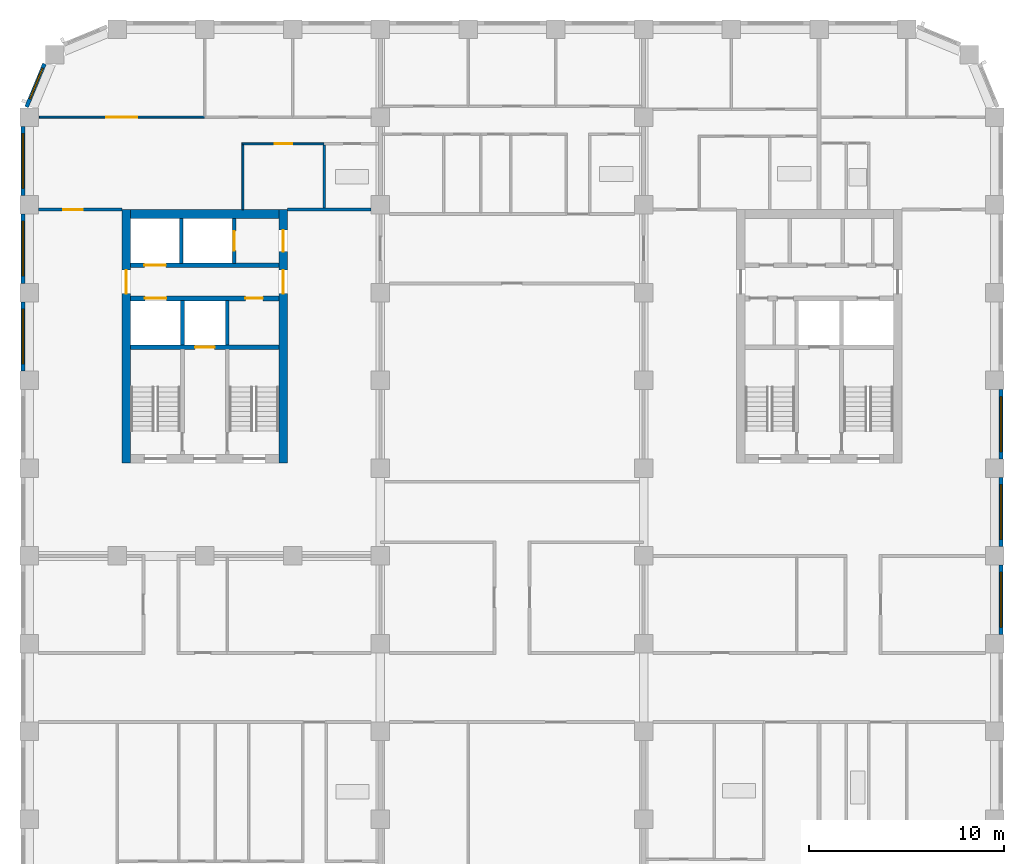
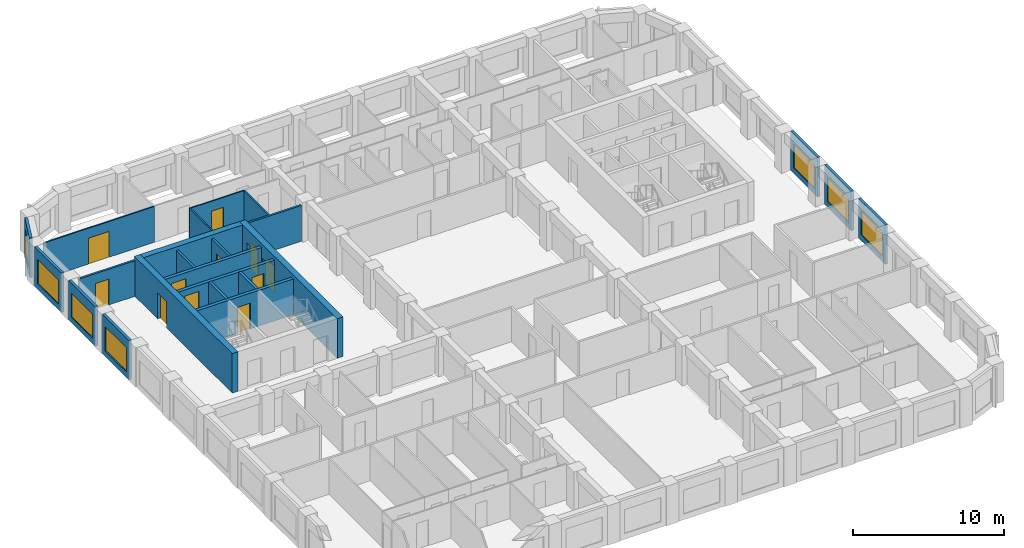
# One storey, part 6 of 13: 23 walls, 11 doors, 7 windows, 18 openings.
"""IFC4 building model written with IfcOpenShell, lengths in metres."""

from ifc_helpers import new_model, si_unit, direction, frame, frame_2d, origin, place, context, subcontext, project, spatial, rectangle, extrude, material, layer, layer_set, type_object, element, fill, save


model = new_model("IFC4")

# Units and contexts
model_context = context("Model", 3, precision=1e-05, world=origin(), true_north=direction((0.0, 1.0)))
body_context = subcontext(model_context, "Body", "Model", "MODEL_VIEW")
ifc_project = project(units=[si_unit("LENGTHUNIT", "METRE"), si_unit("AREAUNIT", "SQUARE_METRE"), si_unit("VOLUMEUNIT", "CUBIC_METRE"), si_unit("PLANEANGLEUNIT", "RADIAN"), si_unit("MASSUNIT", "GRAM", prefix="KILO")], contexts=[model_context])

# Site, building, storey
site_placement = place(None, origin())
site = spatial("IfcSite", under=ifc_project, at=site_placement, CompositionType="ELEMENT")
building_placement = place(site_placement, origin())
building = spatial("IfcBuilding", under=site, at=building_placement, Name="Girih Gate Residences", CompositionType="ELEMENT")
storey_placement = place(building_placement, frame((0.0, 0.0, 136.60009765625)))
storey = spatial("IfcBuildingStorey", under=building, at=storey_placement, Name="L38", CompositionType="ELEMENT", Elevation=136.60009765625)

# Wall, opening, door
ifc_material_1 = material(Name="Gypsum board on steel studs", Category="steel")
ifc_layer_1 = layer(ifc_material_1, 0.14990234375)
ifc_layer_set_1 = layer_set([ifc_layer_1], Name="Compartment wall 150 mm")
wall_type_1 = type_object("IfcWallType", Name="Compartment wall 150 mm", PredefinedType="PARTITIONING", material=ifc_layer_set_1)
wall_1_placement = place(storey_placement, frame((0.47509765625, 40.25, 0.0), z_axis=(0.0, 0.0, 1.0), x_axis=(1.0, 0.0, 0.0)))
wall_1 = element("IfcWall", 1, at=wall_1_placement, inside=storey, type_object=wall_type_1, Name="L38 partition", PredefinedType="PARTITIONING", context=body_context, shape_type="SweptSolid", body=[
    extrude(rectangle(XDim=4.27490234375, YDim=0.14990234375, at=frame_2d((2.137451171875, 0.0))), origin(), (0.0, 0.0, 1.0), 2.89990234375),
])
opening_1_placement = place(wall_1_placement, frame((1.27490234375, 0.0, 0.0)))
opening_1 = element("IfcOpeningElement", 2, at=opening_1_placement, cuts=wall_1, Name="Opening A38-016", PredefinedType="OPENING", context=body_context, shape_type="SweptSolid", body=[
    extrude(rectangle(XDim=1.0, YDim=2.10009765625, at=frame_2d((0.5, 1.050048828125))), frame((0.0, 0.0849609375, 0.0), z_axis=(0.0, -1.0, 0.0), x_axis=(1.0, 0.0, 0.0)), (0.0, 0.0, 1.0), 0.169921875),
])
ifc_material_2 = material(Name="Timber, fire-rated core", Category="wood")
door_type_1 = type_object("IfcDoorType", Name="Flat entrance door 1000x2100 FD30S", OperationType="NOTDEFINED", PredefinedType="DOOR", material=ifc_material_2)
door_1_placement = place(opening_1_placement, origin())
door_1 = element("IfcDoor", 3, at=door_1_placement, inside=storey, type_object=door_type_1, Name="Door A38-016", OperationType="SINGLE_SWING_LEFT", OverallHeight=2.10009765625, OverallWidth=1.0, PredefinedType="DOOR", context=body_context, shape_type="SweptSolid", body=[
    extrude(rectangle(XDim=1.0, YDim=2.10009765625, at=frame_2d((0.5, 1.050048828125))), frame((0.0, 0.02490234375, 0.0), z_axis=(0.0, -1.0, 0.0), x_axis=(1.0, 0.0, 0.0)), (0.0, 0.0, 1.0), 0.050048828125),
])
fill(opening_1, door_1)

# Walls
wall_2_placement = place(storey_placement, frame((13.25, 40.25, 0.0), z_axis=(0.0, 0.0, 1.0), x_axis=(1.0, 0.0, 0.0)))
element("IfcWall", 4, at=wall_2_placement, inside=storey, type_object=wall_type_1, Name="L38 partition", PredefinedType="PARTITIONING", context=body_context, shape_type="SweptSolid", body=[
    extrude(rectangle(XDim=4.27490234375, YDim=0.14990234375, at=frame_2d((2.137451171875, 0.0))), origin(), (0.0, 0.0, 1.0), 2.89990234375),
])
ifc_material_3 = material(Name="Concrete C60/75", Category="concrete")
ifc_layer_2 = layer(ifc_material_3, 0.449951171875)
ifc_layer_set_2 = layer_set([ifc_layer_2], Name="Core wall RC 450 Concrete C60/75")
wall_type_2 = type_object("IfcWallType", Name="Core wall RC 450 Concrete C60/75", PredefinedType="SOLIDWALL", material=ifc_layer_set_2)
wall_3_placement = place(storey_placement, frame((5.199951171875, 40.02490234375, 0.0), z_axis=(0.0, 0.0, 1.0), x_axis=(1.0, 0.0, 0.0)))
element("IfcWall", 5, at=wall_3_placement, inside=storey, type_object=wall_type_2, Name="Core wall W-N L38", PredefinedType="SOLIDWALL", context=body_context, shape_type="SweptSolid", body=[
    extrude(rectangle(XDim=7.60009765625, YDim=0.449951171875, at=frame_2d((3.800048828125, 0.0))), origin(), (0.0, 0.0, 1.0), 3.199951171875),
])

# Wall, opening, door
wall_4_placement = place(storey_placement, frame((4.97509765625, 27.25, 0.0), z_axis=(0.0, 0.0, 1.0), x_axis=(0.0, 1.0, 0.0)))
wall_4 = element("IfcWall", 6, at=wall_4_placement, inside=storey, type_object=wall_type_2, Name="Core wall W-W L38", PredefinedType="SOLIDWALL", context=body_context, shape_type="SweptSolid", body=[
    extrude(rectangle(XDim=13.0, YDim=0.449951171875, at=frame_2d((6.5, 0.0))), origin(), (0.0, 0.0, 1.0), 3.199951171875),
])
opening_2_placement = place(wall_4_placement, frame((8.699951171875, 0.0, 0.0)))
opening_2 = element("IfcOpeningElement", 7, at=opening_2_placement, cuts=wall_4, Name="Opening D-L38-W-012", PredefinedType="OPENING", context=body_context, shape_type="SweptSolid", body=[
    extrude(rectangle(XDim=1.199951171875, YDim=2.10009765625, at=frame_2d((0.60009765625, 1.050048828125))), frame((0.0, 0.23486328125, 0.0), z_axis=(0.0, -1.0, 0.0), x_axis=(1.0, 0.0, 0.0)), (0.0, 0.0, 1.0), 0.469970703125),
])
ifc_material_4 = material(Name="Painted steel, fire-resisting", Category="steel")
door_type_2 = type_object("IfcDoorType", Name="Fire door 1200x2100", OperationType="SINGLE_SWING_LEFT", PredefinedType="DOOR", material=ifc_material_4)
door_2_placement = place(opening_2_placement, origin())
door_2 = element("IfcDoor", 8, at=door_2_placement, inside=storey, type_object=door_type_2, Name="L38 W core door ll-w", OperationType="SINGLE_SWING_LEFT", OverallHeight=2.10009765625, OverallWidth=1.199951171875, PredefinedType="DOOR", context=body_context, shape_type="SweptSolid", body=[
    extrude(rectangle(XDim=1.199951171875, YDim=2.10009765625, at=frame_2d((0.60009765625, 1.050048828125))), frame((0.0, 0.02490234375, 0.0), z_axis=(0.0, -1.0, 0.0), x_axis=(1.0, 0.0, 0.0)), (0.0, 0.0, 1.0), 0.050048828125),
])
fill(opening_2, door_2)

# Wall, openings, doors
wall_5_placement = place(storey_placement, frame((13.02490234375, 27.25, 0.0), z_axis=(0.0, 0.0, 1.0), x_axis=(0.0, 1.0, 0.0)))
wall_5 = element("IfcWall", 9, at=wall_5_placement, inside=storey, type_object=wall_type_2, Name="Core wall W-E L38", PredefinedType="SOLIDWALL", context=body_context, shape_type="SweptSolid", body=[
    extrude(rectangle(XDim=13.0, YDim=0.449951171875, at=frame_2d((6.5, 0.0))), origin(), (0.0, 0.0, 1.0), 3.199951171875),
])
opening_3_placement = place(wall_5_placement, frame((10.85009765625, 0.0, 0.0)))
opening_3 = element("IfcOpeningElement", 10, at=opening_3_placement, cuts=wall_5, Name="Opening D-L38-W-011", PredefinedType="OPENING", context=body_context, shape_type="SweptSolid", body=[
    extrude(rectangle(XDim=1.10009765625, YDim=2.10009765625, at=frame_2d((0.550048828125, 1.050048828125))), frame((0.0, 0.23486328125, 0.0), z_axis=(0.0, -1.0, 0.0), x_axis=(1.0, 0.0, 0.0)), (0.0, 0.0, 1.0), 0.469970703125),
])
opening_4_placement = place(wall_5_placement, frame((8.699951171875, 0.0, 0.0)))
opening_4 = element("IfcOpeningElement", 11, at=opening_4_placement, cuts=wall_5, Name="Opening D-L38-W-013", PredefinedType="OPENING", context=body_context, shape_type="SweptSolid", body=[
    extrude(rectangle(XDim=1.199951171875, YDim=2.10009765625, at=frame_2d((0.60009765625, 1.050048828125))), frame((0.0, 0.23486328125, 0.0), z_axis=(0.0, -1.0, 0.0), x_axis=(1.0, 0.0, 0.0)), (0.0, 0.0, 1.0), 0.469970703125),
])
door_type_3 = type_object("IfcDoorType", Name="Fire door 1100x2100", OperationType="SINGLE_SWING_LEFT", PredefinedType="DOOR", material=ifc_material_4)
door_3_placement = place(opening_3_placement, origin())
door_3 = element("IfcDoor", 12, at=door_3_placement, inside=storey, type_object=door_type_3, Name="L38 W core door ffl2-e", OperationType="SINGLE_SWING_LEFT", OverallHeight=2.10009765625, OverallWidth=1.10009765625, PredefinedType="DOOR", context=body_context, shape_type="SweptSolid", body=[
    extrude(rectangle(XDim=1.10009765625, YDim=2.10009765625, at=frame_2d((0.550048828125, 1.050048828125))), frame((0.0, 0.02490234375, 0.0), z_axis=(0.0, -1.0, 0.0), x_axis=(1.0, 0.0, 0.0)), (0.0, 0.0, 1.0), 0.050048828125),
])
fill(opening_3, door_3)
door_4_placement = place(opening_4_placement, origin())
door_4 = element("IfcDoor", 13, at=door_4_placement, inside=storey, type_object=door_type_2, Name="L38 W core door ll-e", OperationType="SINGLE_SWING_LEFT", OverallHeight=2.10009765625, OverallWidth=1.199951171875, PredefinedType="DOOR", context=body_context, shape_type="SweptSolid", body=[
    extrude(rectangle(XDim=1.199951171875, YDim=2.10009765625, at=frame_2d((0.60009765625, 1.050048828125))), frame((0.0, 0.02490234375, 0.0), z_axis=(0.0, -1.0, 0.0), x_axis=(1.0, 0.0, 0.0)), (0.0, 0.0, 1.0), 0.050048828125),
])
fill(opening_4, door_4)

# Wall, opening, door
ifc_material_5 = material(Name="Concrete C40/50", Category="concrete")
ifc_layer_3 = layer(ifc_material_5, 0.25)
ifc_layer_set_3 = layer_set([ifc_layer_3], Name="Lift shaft wall 250")
wall_type_3 = type_object("IfcWallType", Name="Lift shaft wall 250", PredefinedType="SOLIDWALL", material=ifc_layer_set_3)
wall_6_placement = place(storey_placement, frame((5.199951171875, 33.199951171875, 0.0), z_axis=(0.0, 0.0, 1.0), x_axis=(1.0, 0.0, 0.0)))
wall_6 = element("IfcWall", 14, at=wall_6_placement, inside=storey, type_object=wall_type_3, Name="L38 W core wall H1", PredefinedType="SOLIDWALL", context=body_context, shape_type="SweptSolid", body=[
    extrude(rectangle(XDim=7.60009765625, YDim=0.25, at=frame_2d((3.800048828125, 0.0))), origin(), (0.0, 0.0, 1.0), 2.89990234375),
])
opening_5_placement = place(wall_6_placement, frame((3.300048828125, 0.0, 0.0)))
opening_5 = element("IfcOpeningElement", 15, at=opening_5_placement, cuts=wall_6, Name="Opening D-L38-W-006", PredefinedType="OPENING", context=body_context, shape_type="SweptSolid", body=[
    extrude(rectangle(XDim=1.0, YDim=2.10009765625, at=frame_2d((0.5, 1.050048828125))), frame((0.0, 0.135009765625, 0.0), z_axis=(0.0, -1.0, 0.0), x_axis=(1.0, 0.0, 0.0)), (0.0, 0.0, 1.0), 0.27001953125),
])
ifc_material_6 = material(Name="Stainless steel, fire-resisting", Category="steel")
door_type_4 = type_object("IfcDoorType", Name="Firefighting lift landing door 1000x2100", OperationType="SLIDING_TO_LEFT", PredefinedType="DOOR", material=ifc_material_6)
door_5_placement = place(opening_5_placement, origin())
door_5 = element("IfcDoor", 16, at=door_5_placement, inside=storey, type_object=door_type_4, Name="L38 lift FF-W landing door", OperationType="SLIDING_TO_LEFT", OverallHeight=2.10009765625, OverallWidth=1.0, PredefinedType="DOOR", context=body_context, shape_type="SweptSolid", body=[
    extrude(rectangle(XDim=1.0, YDim=2.10009765625, at=frame_2d((0.5, 1.050048828125))), frame((0.0, 0.02490234375, 0.0), z_axis=(0.0, -1.0, 0.0), x_axis=(1.0, 0.0, 0.0)), (0.0, 0.0, 1.0), 0.050048828125),
])
fill(opening_5, door_5)

# Wall, openings, doors
wall_7_placement = place(storey_placement, frame((5.199951171875, 35.699951171875, 0.0), z_axis=(0.0, 0.0, 1.0), x_axis=(1.0, 0.0, 0.0)))
wall_7 = element("IfcWall", 17, at=wall_7_placement, inside=storey, type_object=wall_type_3, Name="L38 W core wall H2", PredefinedType="SOLIDWALL", context=body_context, shape_type="SweptSolid", body=[
    extrude(rectangle(XDim=7.60009765625, YDim=0.25, at=frame_2d((3.800048828125, 0.0))), origin(), (0.0, 0.0, 1.0), 2.89990234375),
])
opening_6_placement = place(wall_7_placement, frame((0.72509765625, 0.0, 0.0)))
opening_6 = element("IfcOpeningElement", 18, at=opening_6_placement, cuts=wall_7, Name="Opening D-L38-W-005", PredefinedType="OPENING", context=body_context, shape_type="SweptSolid", body=[
    extrude(rectangle(XDim=1.10009765625, YDim=2.39990234375, at=frame_2d((0.550048828125, 1.199951171875))), frame((0.0, 0.135009765625, 0.0), z_axis=(0.0, -1.0, 0.0), x_axis=(1.0, 0.0, 0.0)), (0.0, 0.0, 1.0), 0.27001953125),
])
opening_7_placement = place(wall_7_placement, frame((5.875, 0.0, 0.0)))
opening_7 = element("IfcOpeningElement", 19, at=opening_7_placement, cuts=wall_7, Name="Opening D-L38-W-007", PredefinedType="OPENING", context=body_context, shape_type="SweptSolid", body=[
    extrude(rectangle(XDim=0.89990234375, YDim=2.10009765625, at=frame_2d((0.449951171875, 1.050048828125))), frame((0.0, 0.135009765625, 0.0), z_axis=(0.0, -1.0, 0.0), x_axis=(1.0, 0.0, 0.0)), (0.0, 0.0, 1.0), 0.27001953125),
])
door_type_5 = type_object("IfcDoorType", Name="Fire door 900x2100", OperationType="SINGLE_SWING_LEFT", PredefinedType="DOOR", material=ifc_material_4)
door_6_placement = place(opening_7_placement, origin())
door_6 = element("IfcDoor", 20, at=door_6_placement, inside=storey, type_object=door_type_5, Name="L38 W linen store door", OperationType="SINGLE_SWING_LEFT", OverallHeight=2.10009765625, OverallWidth=0.89990234375, PredefinedType="DOOR", context=body_context, shape_type="SweptSolid", body=[
    extrude(rectangle(XDim=0.89990234375, YDim=2.10009765625, at=frame_2d((0.449951171875, 1.050048828125))), frame((0.0, 0.02490234375, 0.0), z_axis=(0.0, -1.0, 0.0), x_axis=(1.0, 0.0, 0.0)), (0.0, 0.0, 1.0), 0.050048828125),
])
fill(opening_7, door_6)
ifc_material_7 = material(Name="Stainless steel", Category="steel")
door_type_6 = type_object("IfcDoorType", Name="Lift landing door 1100x2400", OperationType="SLIDING_TO_LEFT", PredefinedType="DOOR", material=ifc_material_7)
door_7_placement = place(opening_6_placement, origin())
door_7 = element("IfcDoor", 21, at=door_7_placement, inside=storey, type_object=door_type_6, Name="L38 lift HR-W1 landing door", OperationType="SLIDING_TO_LEFT", OverallHeight=2.39990234375, OverallWidth=1.10009765625, PredefinedType="DOOR", context=body_context, shape_type="SweptSolid", body=[
    extrude(rectangle(XDim=1.10009765625, YDim=2.39990234375, at=frame_2d((0.550048828125, 1.199951171875))), frame((0.0, 0.02490234375, 0.0), z_axis=(0.0, -1.0, 0.0), x_axis=(1.0, 0.0, 0.0)), (0.0, 0.0, 1.0), 0.050048828125),
])
fill(opening_6, door_7)

# Wall, opening, door
wall_8_placement = place(storey_placement, frame((5.199951171875, 37.39990234375, 0.0), z_axis=(0.0, 0.0, 1.0), x_axis=(1.0, 0.0, 0.0)))
wall_8 = element("IfcWall", 22, at=wall_8_placement, inside=storey, type_object=wall_type_3, Name="L38 W core wall H3", PredefinedType="SOLIDWALL", context=body_context, shape_type="SweptSolid", body=[
    extrude(rectangle(XDim=7.60009765625, YDim=0.25, at=frame_2d((3.800048828125, 0.0))), origin(), (0.0, 0.0, 1.0), 2.89990234375),
])
opening_8_placement = place(wall_8_placement, frame((0.699951171875, 0.0, 0.0)))
opening_8 = element("IfcOpeningElement", 23, at=opening_8_placement, cuts=wall_8, Name="Opening D-L38-W-003", PredefinedType="OPENING", context=body_context, shape_type="SweptSolid", body=[
    extrude(rectangle(XDim=1.10009765625, YDim=2.39990234375, at=frame_2d((0.550048828125, 1.199951171875))), frame((0.0, 0.135009765625, 0.0), z_axis=(0.0, -1.0, 0.0), x_axis=(1.0, 0.0, 0.0)), (0.0, 0.0, 1.0), 0.27001953125),
])
door_8_placement = place(opening_8_placement, origin())
door_8 = element("IfcDoor", 24, at=door_8_placement, inside=storey, type_object=door_type_6, Name="L38 lift LR-W1 landing door", OperationType="SLIDING_TO_LEFT", OverallHeight=2.39990234375, OverallWidth=1.10009765625, PredefinedType="DOOR", context=body_context, shape_type="SweptSolid", body=[
    extrude(rectangle(XDim=1.10009765625, YDim=2.39990234375, at=frame_2d((0.550048828125, 1.199951171875))), frame((0.0, 0.02490234375, 0.0), z_axis=(0.0, -1.0, 0.0), x_axis=(1.0, 0.0, 0.0)), (0.0, 0.0, 1.0), 0.050048828125),
])
fill(opening_8, door_8)

ifc_layer_4 = layer(ifc_material_1, 0.10009765625)
ifc_layer_set_4 = layer_set([ifc_layer_4], Name="Partition 100 mm")
wall_type_4 = type_object("IfcWallType", Name="Partition 100 mm", PredefinedType="PARTITIONING", material=ifc_layer_set_4)
wall_9_placement = place(storey_placement, frame((15.119384765625, 43.6201171875, 0.0), z_axis=(0.0, 0.0, 1.0), x_axis=(-1.0, 0.0, 0.0)))
wall_9 = element("IfcWall", 25, at=wall_9_placement, inside=storey, type_object=wall_type_4, Name="L38 partition", PredefinedType="PARTITIONING", context=body_context, shape_type="SweptSolid", body=[
    extrude(rectangle(XDim=4.219482421875, YDim=0.10009765625, at=frame_2d((2.10986328125, 0.0))), origin(), (0.0, 0.0, 1.0), 2.89990234375),
])
opening_9_placement = place(wall_9_placement, frame((1.634765625, 0.0, 0.0)))
opening_9 = element("IfcOpeningElement", 26, at=opening_9_placement, cuts=wall_9, Name="Opening A38-014", PredefinedType="OPENING", context=body_context, shape_type="SweptSolid", body=[
    extrude(rectangle(XDim=0.89990234375, YDim=2.10009765625, at=frame_2d((0.449951171875, 1.050048828125))), frame((0.0, 0.06005859375, 0.0), z_axis=(0.0, -1.0, 0.0), x_axis=(1.0, 0.0, 0.0)), (0.0, 0.0, 1.0), 0.1201171875),
])
ifc_material_8 = material(Name="Timber", Category="wood")
door_type_7 = type_object("IfcDoorType", Name="Kitchen door 900x2100", OperationType="NOTDEFINED", PredefinedType="DOOR", material=ifc_material_8)
door_9_placement = place(opening_9_placement, origin())
door_9 = element("IfcDoor", 27, at=door_9_placement, inside=storey, type_object=door_type_7, Name="Door A38-014", OperationType="SINGLE_SWING_LEFT", OverallHeight=2.10009765625, OverallWidth=0.89990234375, PredefinedType="DOOR", context=body_context, shape_type="SweptSolid", body=[
    extrude(rectangle(XDim=0.89990234375, YDim=2.10009765625, at=frame_2d((0.449951171875, 1.050048828125))), frame((0.0, 0.02490234375, 0.0), z_axis=(0.0, -1.0, 0.0), x_axis=(1.0, 0.0, 0.0)), (0.0, 0.0, 1.0), 0.050048828125),
])
fill(opening_9, door_9)

# Wall
wall_10_placement = place(storey_placement, frame((10.949951171875, 40.25, 0.0), z_axis=(0.0, 0.0, 1.0), x_axis=(0.0, 1.0, 0.0)))
element("IfcWall", 28, at=wall_10_placement, inside=storey, type_object=wall_type_4, Name="L38 partition", PredefinedType="PARTITIONING", context=body_context, shape_type="SweptSolid", body=[
    extrude(rectangle(XDim=3.320068359375, YDim=0.10009765625, at=frame_2d((1.66015625, 0.0))), origin(), (0.0, 0.0, 1.0), 2.89990234375),
])

# Wall, opening, door
wall_11_placement = place(storey_placement, frame((0.51416015625, 45.0, 0.0), z_axis=(0.0, 0.0, 1.0), x_axis=(1.0, 0.0, 0.0)))
wall_11 = element("IfcWall", 29, at=wall_11_placement, inside=storey, type_object=wall_type_4, Name="L38 partition", PredefinedType="PARTITIONING", context=body_context, shape_type="SweptSolid", body=[
    extrude(rectangle(XDim=8.48583984375, YDim=0.10009765625, at=frame_2d((4.242919921875, 0.0))), origin(), (0.0, 0.0, 1.0), 2.89990234375),
])
opening_10_placement = place(wall_11_placement, frame((3.42333984375, 0.0, 0.0)))
opening_10 = element("IfcOpeningElement", 30, at=opening_10_placement, cuts=wall_11, Name="Opening A38-015", PredefinedType="OPENING", context=body_context, shape_type="SweptSolid", body=[
    extrude(rectangle(XDim=1.60009765625, YDim=2.10009765625, at=frame_2d((0.800048828125, 1.050048828125))), frame((0.0, 0.06005859375, 0.0), z_axis=(0.0, -1.0, 0.0), x_axis=(1.0, 0.0, 0.0)), (0.0, 0.0, 1.0), 0.1201171875),
])
door_type_8 = type_object("IfcDoorType", Name="Double leaf door 1600x2100", OperationType="NOTDEFINED", PredefinedType="DOOR", material=ifc_material_8)
door_10_placement = place(opening_10_placement, origin())
door_10 = element("IfcDoor", 31, at=door_10_placement, inside=storey, type_object=door_type_8, Name="Door A38-015", OperationType="SINGLE_SWING_LEFT", OverallHeight=2.10009765625, OverallWidth=1.60009765625, PredefinedType="DOOR", context=body_context, shape_type="SweptSolid", body=[
    extrude(rectangle(XDim=1.60009765625, YDim=2.10009765625, at=frame_2d((0.800048828125, 1.050048828125))), frame((0.0, 0.02490234375, 0.0), z_axis=(0.0, -1.0, 0.0), x_axis=(1.0, 0.0, 0.0)), (0.0, 0.0, 1.0), 0.050048828125),
])
fill(opening_10, door_10)

# Wall, opening, window
ifc_material_9 = material(Name="Precast concrete C50/60", Category="concrete")
ifc_layer_5 = layer(ifc_material_9, 0.06005859375, Name="Outer leaf")
ifc_material_10 = material(Name="Rigid PIR insulation")
ifc_layer_6 = layer(ifc_material_10, 0.090087890625, Name="Insulation")
ifc_material_11 = material(Name="Precast concrete C40/50", Category="concrete")
ifc_layer_7 = layer(ifc_material_11, 0.050048828125, Name="Inner leaf")
ifc_layer_set_5 = layer_set([ifc_layer_5, ifc_layer_6, ifc_layer_7], Name="Precast concrete C50/60 external wall 200")
wall_type_5 = type_object("IfcWallType", Name="Precast concrete C50/60 external wall 200", PredefinedType="SOLIDWALL", material=ifc_layer_set_5)
wall_12_placement = place(storey_placement, frame((49.824951171875, 22.02490234375, 0.0), z_axis=(0.0, 0.0, 1.0), x_axis=(0.0, -1.0, 0.0)))
wall_12 = element("IfcWall", 32, at=wall_12_placement, inside=storey, type_object=wall_type_5, Name="External wall E0495_0045.3", PredefinedType="SOLIDWALL", context=body_context, shape_type="SweptSolid", body=[
    extrude(rectangle(XDim=3.5498046875, YDim=0.199951171875, at=frame_2d((1.77490234375, 0.0))), origin(), (0.0, 0.0, 1.0), 3.199951171875),
])
opening_11_placement = place(wall_12_placement, frame((0.375, 0.0, 0.449951171875)))
opening_11 = element("IfcOpeningElement", 33, at=opening_11_placement, cuts=wall_12, Name="Opening W-1B", PredefinedType="OPENING", context=body_context, shape_type="SweptSolid", body=[
    extrude(rectangle(XDim=2.800048828125, YDim=1.949951171875, at=frame_2d((1.39990234375, 0.97509765625))), frame((0.0, 0.10986328125, 0.0), z_axis=(0.0, -1.0, 0.0), x_axis=(1.0, 0.0, 0.0)), (0.0, 0.0, 1.0), 0.219970703125),
])
ifc_material_12 = material(Name="Double glazing in aluminium frame", Category="aluminium")
window_type_1 = type_object("IfcWindowType", Name="Window W-1B 2800x1950", PartitioningType="SINGLE_PANEL", PredefinedType="WINDOW", material=ifc_material_12)
window_1_placement = place(opening_11_placement, origin())
window_1 = element("IfcWindow", 34, at=window_1_placement, inside=storey, type_object=window_type_1, Name="Window W-1B E0495_0045.3", OverallHeight=1.949951171875, OverallWidth=2.800048828125, PartitioningType="SINGLE_PANEL", PredefinedType="WINDOW", context=body_context, shape_type="SweptSolid", body=[
    extrude(rectangle(XDim=2.800048828125, YDim=1.949951171875, at=frame_2d((1.39990234375, 0.97509765625))), frame((0.0, 0.030029296875, 0.0), z_axis=(0.0, -1.0, 0.0), x_axis=(1.0, 0.0, 0.0)), (0.0, 0.0, 1.0), 0.06005859375),
])
fill(opening_11, window_1)

wall_13_placement = place(storey_placement, frame((49.824951171875, 26.52490234375, 0.0), z_axis=(0.0, 0.0, 1.0), x_axis=(0.0, -1.0, 0.0)))
wall_13 = element("IfcWall", 35, at=wall_13_placement, inside=storey, type_object=wall_type_5, Name="External wall E0495_0045.4", PredefinedType="SOLIDWALL", context=body_context, shape_type="SweptSolid", body=[
    extrude(rectangle(XDim=3.5498046875, YDim=0.199951171875, at=frame_2d((1.77490234375, 0.0))), origin(), (0.0, 0.0, 1.0), 3.199951171875),
])
opening_12_placement = place(wall_13_placement, frame((0.375, 0.0, 0.449951171875)))
opening_12 = element("IfcOpeningElement", 36, at=opening_12_placement, cuts=wall_13, Name="Opening W-1B", PredefinedType="OPENING", context=body_context, shape_type="SweptSolid", body=[
    extrude(rectangle(XDim=2.800048828125, YDim=1.949951171875, at=frame_2d((1.39990234375, 0.97509765625))), frame((0.0, 0.10986328125, 0.0), z_axis=(0.0, -1.0, 0.0), x_axis=(1.0, 0.0, 0.0)), (0.0, 0.0, 1.0), 0.219970703125),
])
window_2_placement = place(opening_12_placement, origin())
window_2 = element("IfcWindow", 37, at=window_2_placement, inside=storey, type_object=window_type_1, Name="Window W-1B E0495_0045.4", OverallHeight=1.949951171875, OverallWidth=2.800048828125, PartitioningType="SINGLE_PANEL", PredefinedType="WINDOW", context=body_context, shape_type="SweptSolid", body=[
    extrude(rectangle(XDim=2.800048828125, YDim=1.949951171875, at=frame_2d((1.39990234375, 0.97509765625))), frame((0.0, 0.030029296875, 0.0), z_axis=(0.0, -1.0, 0.0), x_axis=(1.0, 0.0, 0.0)), (0.0, 0.0, 1.0), 0.06005859375),
])
fill(opening_12, window_2)

wall_14_placement = place(storey_placement, frame((49.824951171875, 31.02490234375, 0.0), z_axis=(0.0, 0.0, 1.0), x_axis=(0.0, -1.0, 0.0)))
wall_14 = element("IfcWall", 38, at=wall_14_placement, inside=storey, type_object=wall_type_5, Name="External wall E0495_0045.5", PredefinedType="SOLIDWALL", context=body_context, shape_type="SweptSolid", body=[
    extrude(rectangle(XDim=3.5498046875, YDim=0.199951171875, at=frame_2d((1.77490234375, 0.0))), origin(), (0.0, 0.0, 1.0), 3.199951171875),
])
opening_13_placement = place(wall_14_placement, frame((0.375, 0.0, 0.449951171875)))
opening_13 = element("IfcOpeningElement", 39, at=opening_13_placement, cuts=wall_14, Name="Opening W-1B", PredefinedType="OPENING", context=body_context, shape_type="SweptSolid", body=[
    extrude(rectangle(XDim=2.800048828125, YDim=1.949951171875, at=frame_2d((1.39990234375, 0.97509765625))), frame((0.0, 0.10986328125, 0.0), z_axis=(0.0, -1.0, 0.0), x_axis=(1.0, 0.0, 0.0)), (0.0, 0.0, 1.0), 0.219970703125),
])
window_3_placement = place(opening_13_placement, origin())
window_3 = element("IfcWindow", 40, at=window_3_placement, inside=storey, type_object=window_type_1, Name="Window W-1B E0495_0045.5", OverallHeight=1.949951171875, OverallWidth=2.800048828125, PartitioningType="SINGLE_PANEL", PredefinedType="WINDOW", context=body_context, shape_type="SweptSolid", body=[
    extrude(rectangle(XDim=2.800048828125, YDim=1.949951171875, at=frame_2d((1.39990234375, 0.97509765625))), frame((0.0, 0.030029296875, 0.0), z_axis=(0.0, -1.0, 0.0), x_axis=(1.0, 0.0, 0.0)), (0.0, 0.0, 1.0), 0.06005859375),
])
fill(opening_13, window_3)

wall_15_placement = place(storey_placement, frame((-0.13916015625, 45.51318359375, 0.0), z_axis=(0.0, 0.0, 1.0), x_axis=(0.382680855588, 0.923880599843, 0.0)))
wall_15 = element("IfcWall", 41, at=wall_15_placement, inside=storey, type_object=wall_type_5, Name="External wall NW0013_0482.0", PredefinedType="SOLIDWALL", context=body_context, shape_type="SweptSolid", body=[
    extrude(rectangle(XDim=2.402587890625, YDim=0.199951171875, at=frame_2d((1.201171875, 0.0))), origin(), (0.0, 0.0, 1.0), 3.199951171875),
])
opening_14_placement = place(wall_15_placement, frame((0.451171875, 0.0, 0.449951171875)))
opening_14 = element("IfcOpeningElement", 42, at=opening_14_placement, cuts=wall_15, Name="Opening W-2E", PredefinedType="OPENING", context=body_context, shape_type="SweptSolid", body=[
    extrude(rectangle(XDim=1.699951171875, YDim=1.949951171875, at=frame_2d((0.85009765625, 0.97509765625))), frame((0.0, 0.10986328125, 0.0), z_axis=(0.0, -1.0, 0.0), x_axis=(1.0, 0.0, 0.0)), (0.0, 0.0, 1.0), 0.219970703125),
])
window_type_2 = type_object("IfcWindowType", Name="Window W-2E 1700x1950", PartitioningType="SINGLE_PANEL", PredefinedType="WINDOW", material=ifc_material_12)
window_4_placement = place(opening_14_placement, origin())
window_4 = element("IfcWindow", 43, at=window_4_placement, inside=storey, type_object=window_type_2, Name="Window W-2E NW0013_0482.0", OverallHeight=1.949951171875, OverallWidth=1.699951171875, PartitioningType="SINGLE_PANEL", PredefinedType="WINDOW", context=body_context, shape_type="SweptSolid", body=[
    extrude(rectangle(XDim=1.699951171875, YDim=1.949951171875, at=frame_2d((0.85009765625, 0.97509765625))), frame((0.0, 0.030029296875, 0.0), z_axis=(0.0, -1.0, 0.0), x_axis=(1.0, 0.0, 0.0)), (0.0, 0.0, 1.0), 0.06005859375),
])
fill(opening_14, window_4)

wall_16_placement = place(storey_placement, frame((-0.324951171875, 40.97509765625, 0.0), z_axis=(0.0, 0.0, 1.0), x_axis=(0.0, 1.0, 0.0)))
wall_16 = element("IfcWall", 44, at=wall_16_placement, inside=storey, type_object=wall_type_5, Name="External wall W0000_0450.0", PredefinedType="SOLIDWALL", context=body_context, shape_type="SweptSolid", body=[
    extrude(rectangle(XDim=3.5498046875, YDim=0.199951171875, at=frame_2d((1.77490234375, 0.0))), origin(), (0.0, 0.0, 1.0), 3.199951171875),
])
opening_15_placement = place(wall_16_placement, frame((0.375, 0.0, 0.449951171875)))
opening_15 = element("IfcOpeningElement", 45, at=opening_15_placement, cuts=wall_16, Name="Opening W-1B", PredefinedType="OPENING", context=body_context, shape_type="SweptSolid", body=[
    extrude(rectangle(XDim=2.800048828125, YDim=1.949951171875, at=frame_2d((1.39990234375, 0.97509765625))), frame((0.0, 0.10986328125, 0.0), z_axis=(0.0, -1.0, 0.0), x_axis=(1.0, 0.0, 0.0)), (0.0, 0.0, 1.0), 0.219970703125),
])
window_5_placement = place(opening_15_placement, origin())
window_5 = element("IfcWindow", 46, at=window_5_placement, inside=storey, type_object=window_type_1, Name="Window W-1B W0000_0450.0", OverallHeight=1.949951171875, OverallWidth=2.800048828125, PartitioningType="SINGLE_PANEL", PredefinedType="WINDOW", context=body_context, shape_type="SweptSolid", body=[
    extrude(rectangle(XDim=2.800048828125, YDim=1.949951171875, at=frame_2d((1.39990234375, 0.97509765625))), frame((0.0, 0.030029296875, 0.0), z_axis=(0.0, -1.0, 0.0), x_axis=(1.0, 0.0, 0.0)), (0.0, 0.0, 1.0), 0.06005859375),
])
fill(opening_15, window_5)

wall_17_placement = place(storey_placement, frame((-0.324951171875, 36.47509765625, 0.0), z_axis=(0.0, 0.0, 1.0), x_axis=(0.0, 1.0, 0.0)))
wall_17 = element("IfcWall", 47, at=wall_17_placement, inside=storey, type_object=wall_type_5, Name="External wall W0000_0450.1", PredefinedType="SOLIDWALL", context=body_context, shape_type="SweptSolid", body=[
    extrude(rectangle(XDim=3.5498046875, YDim=0.199951171875, at=frame_2d((1.77490234375, 0.0))), origin(), (0.0, 0.0, 1.0), 3.199951171875),
])
opening_16_placement = place(wall_17_placement, frame((0.375, 0.0, 0.449951171875)))
opening_16 = element("IfcOpeningElement", 48, at=opening_16_placement, cuts=wall_17, Name="Opening W-1B", PredefinedType="OPENING", context=body_context, shape_type="SweptSolid", body=[
    extrude(rectangle(XDim=2.800048828125, YDim=1.949951171875, at=frame_2d((1.39990234375, 0.97509765625))), frame((0.0, 0.10986328125, 0.0), z_axis=(0.0, -1.0, 0.0), x_axis=(1.0, 0.0, 0.0)), (0.0, 0.0, 1.0), 0.219970703125),
])
window_6_placement = place(opening_16_placement, origin())
window_6 = element("IfcWindow", 49, at=window_6_placement, inside=storey, type_object=window_type_1, Name="Window W-1B W0000_0450.1", OverallHeight=1.949951171875, OverallWidth=2.800048828125, PartitioningType="SINGLE_PANEL", PredefinedType="WINDOW", context=body_context, shape_type="SweptSolid", body=[
    extrude(rectangle(XDim=2.800048828125, YDim=1.949951171875, at=frame_2d((1.39990234375, 0.97509765625))), frame((0.0, 0.030029296875, 0.0), z_axis=(0.0, -1.0, 0.0), x_axis=(1.0, 0.0, 0.0)), (0.0, 0.0, 1.0), 0.06005859375),
])
fill(opening_16, window_6)

wall_18_placement = place(storey_placement, frame((-0.324951171875, 31.97509765625, 0.0), z_axis=(0.0, 0.0, 1.0), x_axis=(0.0, 1.0, 0.0)))
wall_18 = element("IfcWall", 50, at=wall_18_placement, inside=storey, type_object=wall_type_5, Name="External wall W0000_0450.2", PredefinedType="SOLIDWALL", context=body_context, shape_type="SweptSolid", body=[
    extrude(rectangle(XDim=3.5498046875, YDim=0.199951171875, at=frame_2d((1.77490234375, 0.0))), origin(), (0.0, 0.0, 1.0), 3.199951171875),
])
opening_17_placement = place(wall_18_placement, frame((0.375, 0.0, 0.449951171875)))
opening_17 = element("IfcOpeningElement", 51, at=opening_17_placement, cuts=wall_18, Name="Opening W-1B", PredefinedType="OPENING", context=body_context, shape_type="SweptSolid", body=[
    extrude(rectangle(XDim=2.800048828125, YDim=1.949951171875, at=frame_2d((1.39990234375, 0.97509765625))), frame((0.0, 0.10986328125, 0.0), z_axis=(0.0, -1.0, 0.0), x_axis=(1.0, 0.0, 0.0)), (0.0, 0.0, 1.0), 0.219970703125),
])
window_7_placement = place(opening_17_placement, origin())
window_7 = element("IfcWindow", 52, at=window_7_placement, inside=storey, type_object=window_type_1, Name="Window W-1B W0000_0450.2", OverallHeight=1.949951171875, OverallWidth=2.800048828125, PartitioningType="SINGLE_PANEL", PredefinedType="WINDOW", context=body_context, shape_type="SweptSolid", body=[
    extrude(rectangle(XDim=2.800048828125, YDim=1.949951171875, at=frame_2d((1.39990234375, 0.97509765625))), frame((0.0, 0.030029296875, 0.0), z_axis=(0.0, -1.0, 0.0), x_axis=(1.0, 0.0, 0.0)), (0.0, 0.0, 1.0), 0.06005859375),
])
fill(opening_17, window_7)

# Wall
ifc_layer_8 = layer(ifc_material_5, 0.175048828125)
ifc_layer_set_6 = layer_set([ifc_layer_8], Name="Riser shaft wall 175")
wall_type_6 = type_object("IfcWallType", Name="Riser shaft wall 175", PredefinedType="SOLIDWALL", material=ifc_layer_set_6)
wall_19_placement = place(storey_placement, frame((7.800048828125, 37.5, 0.0), z_axis=(0.0, 0.0, 1.0), x_axis=(0.0, 1.0, 0.0)))
element("IfcWall", 53, at=wall_19_placement, inside=storey, type_object=wall_type_6, Name="L38 W core wall V1c", PredefinedType="SOLIDWALL", context=body_context, shape_type="SweptSolid", body=[
    extrude(rectangle(XDim=2.300048828125, YDim=0.175048828125, at=frame_2d((1.14990234375, 0.0))), origin(), (0.0, 0.0, 1.0), 2.89990234375),
])

# Wall, opening, door
wall_20_placement = place(storey_placement, frame((10.5, 37.5, 0.0), z_axis=(0.0, 0.0, 1.0), x_axis=(0.0, 1.0, 0.0)))
wall_20 = element("IfcWall", 54, at=wall_20_placement, inside=storey, type_object=wall_type_6, Name="L38 W core wall V2c", PredefinedType="SOLIDWALL", context=body_context, shape_type="SweptSolid", body=[
    extrude(rectangle(XDim=2.300048828125, YDim=0.175048828125, at=frame_2d((1.14990234375, 0.0))), origin(), (0.0, 0.0, 1.0), 2.89990234375),
])
opening_18_placement = place(wall_20_placement, frame((0.64990234375, 0.0, 0.0)))
opening_18 = element("IfcOpeningElement", 55, at=opening_18_placement, cuts=wall_20, Name="Opening D-L38-W-004", PredefinedType="OPENING", context=body_context, shape_type="SweptSolid", body=[
    extrude(rectangle(XDim=1.0, YDim=2.10009765625, at=frame_2d((0.5, 1.050048828125))), frame((0.0, 0.097412109375, 0.0), z_axis=(0.0, -1.0, 0.0), x_axis=(1.0, 0.0, 0.0)), (0.0, 0.0, 1.0), 0.195068359375),
])
door_11_placement = place(opening_18_placement, origin())
door_11 = element("IfcDoor", 56, at=door_11_placement, inside=storey, type_object=door_type_4, Name="L38 lift FF-W2 landing door", OperationType="SLIDING_TO_LEFT", OverallHeight=2.10009765625, OverallWidth=1.0, PredefinedType="DOOR", context=body_context, shape_type="SweptSolid", body=[
    extrude(rectangle(XDim=1.0, YDim=2.10009765625, at=frame_2d((0.5, 1.050048828125))), frame((0.0, 0.02490234375, 0.0), z_axis=(0.0, -1.0, 0.0), x_axis=(1.0, 0.0, 0.0)), (0.0, 0.0, 1.0), 0.050048828125),
])
fill(opening_18, door_11)

# Walls
ifc_layer_9 = layer(ifc_material_5, 0.199951171875)
ifc_layer_set_7 = layer_set([ifc_layer_9], Name="Shaft wall 200")
wall_type_7 = type_object("IfcWallType", Name="Shaft wall 200", PredefinedType="SOLIDWALL", material=ifc_layer_set_7)
for number, where, z_axis, x_axis, name in (
    (57, (7.85009765625, 33.300048828125, 0.0), (0.0, 0.0, 1.0), (0.0, 1.0, 0.0), "L38 W core wall V1b"),
    (58, (10.14990234375, 33.300048828125, 0.0), (0.0, 0.0, 1.0), (0.0, 1.0, 0.0), "L38 W core wall V2b"),
):
    element("IfcWall", number, at=place(storey_placement, frame(where, z_axis=z_axis, x_axis=x_axis)), inside=storey, type_object=wall_type_7, Name=name, PredefinedType="SOLIDWALL", context=body_context, shape_type="SweptSolid", body=[
        extrude(rectangle(XDim=2.300048828125, YDim=0.199951171875, at=frame_2d((1.14990234375, 0.0))), origin(), (0.0, 0.0, 1.0), 2.89990234375),
    ])
ifc_layer_10 = layer(ifc_material_1, 0.125)
ifc_layer_set_8 = layer_set([ifc_layer_10], Name="Wet room wall 125 mm")
wall_type_8 = type_object("IfcWallType", Name="Wet room wall 125 mm", PredefinedType="PARTITIONING", material=ifc_layer_set_8)
wall_21_placement = place(storey_placement, frame((15.118896484375, 40.324951171875, 0.0), z_axis=(0.0, 0.0, 1.0), x_axis=(0.0, 1.0, 0.0)))
element("IfcWall", 59, at=wall_21_placement, inside=storey, type_object=wall_type_8, Name="L38 partition", PredefinedType="PARTITIONING", context=body_context, shape_type="SweptSolid", body=[
    extrude(rectangle(XDim=3.232666015625, YDim=0.125, at=frame_2d((1.6162109375, 0.0))), origin(), (0.0, 0.0, 1.0), 2.89990234375),
])

save(model, "model.ifc")
